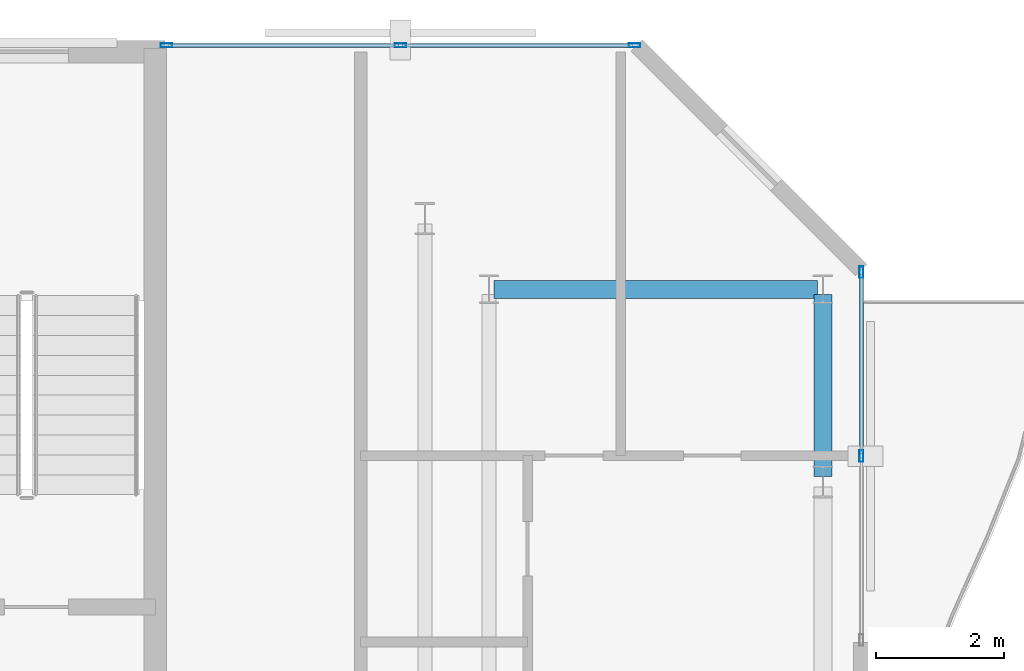
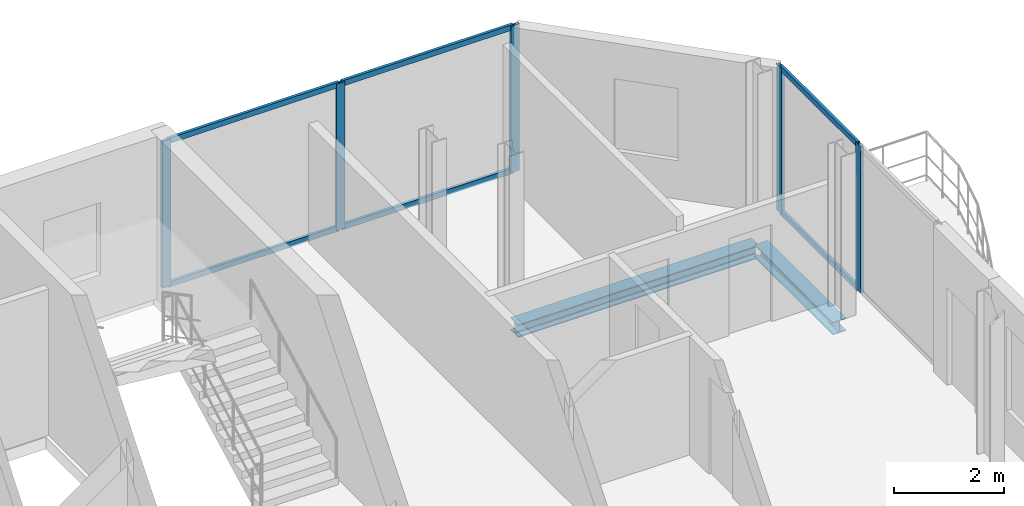
# One storey, part 16 of 23: 11 members, 2 beams, 2 elements without a shape of their own.
"""IFC4 building model written with IfcOpenShell, lengths in metres."""

import ifcopenshell
import ifcopenshell.guid

model = None  # the IFC model being written
_history = None  # IfcOwnerHistory: only IFC2X3 demands one
_inside = {}  # id of a spatial element -> (the spatial element, [elements in it])
_under = {}  # id of a project, library or spatial element -> (it, [spatial elements below it])
_declared = {}  # id of a project -> (the project, [libraries it declares])
_typed = {}  # id of a type object -> (the type object, [elements of that type])
_made_of = {}  # id of a material, layer set ... -> (it, [elements and type objects made of it])


def new_model(schema):
    """Start an empty IFC model of exactly this schema.

    Asked for "IFC4X3", IfcOpenShell would pick the latest addendum, in which some entities
    have other attributes; the version numbers below select the first issue.
    IFC2X3 requires an IfcOwnerHistory on every rooted entity: one is made here for all.
    """
    global model, _history
    if schema == "IFC4X3":
        model = ifcopenshell.file(schema_version=(4, 3, 0, 0))
    else:
        model = ifcopenshell.file(schema=schema)
    _inside.clear()
    _under.clear()
    _declared.clear()
    _typed.clear()
    _made_of.clear()
    _history = None
    if model.schema == "IFC2X3":
        org = make("IfcOrganization", Name="unknown")
        user = make(
            "IfcPersonAndOrganization",
            ThePerson=make("IfcPerson", FamilyName="unknown"),
            TheOrganization=org,
        )
        app = make(
            "IfcApplication",
            ApplicationDeveloper=org,
            Version="unknown",
            ApplicationFullName="unknown",
            ApplicationIdentifier="unknown",
        )
        _history = make(
            "IfcOwnerHistory",
            OwningUser=user,
            OwningApplication=app,
            ChangeAction="ADDED",
            CreationDate=0,
        )
    return model


def make(cls, **values):
    """One entity of the class cls with the attributes given. An attribute that is None is left unset."""
    return model.create_entity(
        cls, **{name: value for name, value in values.items() if value is not None}
    )


def rooted(cls, **values):
    """An entity with a GlobalId (a new one), such as an element, a storey or a relation."""
    return make(cls, GlobalId=ifcopenshell.guid.new(), OwnerHistory=_history, **values)


def si_unit(unit_type, name, prefix=None):
    """IfcSIUnit, for example si_unit("LENGTHUNIT", "METRE", prefix="MILLI")."""
    return make("IfcSIUnit", UnitType=unit_type, Prefix=prefix, Name=name)


def assignment(units):
    """IfcUnitAssignment: the units of a project."""
    return None if units is None else make("IfcUnitAssignment", Units=units)


def point(xyz):
    """IfcCartesianPoint."""
    return None if xyz is None else make("IfcCartesianPoint", Coordinates=xyz)


def direction(xyz):
    """IfcDirection."""
    return None if xyz is None else make("IfcDirection", DirectionRatios=xyz)


def frame(location, z_axis=None, x_axis=None):
    """IfcAxis2Placement3D, a coordinate frame: its origin and axes. An axis left out is left unset."""
    return make(
        "IfcAxis2Placement3D",
        Location=point(location),
        Axis=direction(z_axis),
        RefDirection=direction(x_axis),
    )


def frame_2d(location, x_axis=None):
    """IfcAxis2Placement2D, a coordinate frame in the plane: its origin and x axis."""
    return make(
        "IfcAxis2Placement2D", Location=point(location), RefDirection=direction(x_axis)
    )


def origin():
    """The frame at (0, 0, 0) with its axes left unset."""
    return frame((0.0, 0.0, 0.0))


def origin_2d():
    """The frame at (0, 0) in the plane with its x axis left unset."""
    return frame_2d((0.0, 0.0))


def place(relative_to, where):
    """IfcLocalPlacement: puts the frame where relative to a parent placement (None: the world)."""
    return make(
        "IfcLocalPlacement", PlacementRelTo=relative_to, RelativePlacement=where
    )


def context(
    kind, dimensions, precision=None, world=None, true_north=None, identifier=None
):
    """IfcGeometricRepresentationContext, for example the 3D "Model" context."""
    return make(
        "IfcGeometricRepresentationContext",
        ContextIdentifier=identifier,
        ContextType=kind,
        CoordinateSpaceDimension=dimensions,
        Precision=precision,
        WorldCoordinateSystem=world,
        TrueNorth=true_north,
    )


def subcontext(parent, identifier, kind, view, scale=None):
    """IfcGeometricRepresentationSubContext, for example "Body" below "Model"."""
    return make(
        "IfcGeometricRepresentationSubContext",
        ContextIdentifier=identifier,
        ContextType=kind,
        ParentContext=parent,
        TargetScale=scale,
        TargetView=view,
    )


def project(units=None, contexts=None):
    """IfcProject with its units and contexts."""
    return rooted(
        "IfcProject",
        Name="project",
        RepresentationContexts=contexts,
        UnitsInContext=assignment(units),
    )


def spatial(cls, under=None, at=None, **own):
    """A site, building, storey or space (cls), placed at a placement, below another one or the project."""
    s = rooted(cls, ObjectPlacement=at, **own)
    if under is not None:
        _under.setdefault(under.id(), (under, []))[1].append(s)
    return s


def profile(cls, at=None, kind="AREA", **sizes):
    """A parametric profile (cls). Its sizes go by their IFC names, for example OverallWidth=200.0."""
    return make(cls, ProfileType=kind, Position=at, **sizes)


def hollow_rectangle(**sizes):
    """IfcRectangleHollowProfileDef."""
    return profile("IfcRectangleHollowProfileDef", **sizes)


def i_section(**sizes):
    """IfcIShapeProfileDef."""
    return profile("IfcIShapeProfileDef", **sizes)


def extrude(swept, where, along, depth):
    """IfcExtrudedAreaSolid: the profile swept, set in the frame where, extruded along a direction by depth."""
    return make(
        "IfcExtrudedAreaSolid",
        SweptArea=swept,
        Position=where,
        ExtrudedDirection=direction(along),
        Depth=depth,
    )


def shape(context_of_items, identifier, shape_type, items):
    """IfcShapeRepresentation: the items that make up one representation, for example the "Body"."""
    return make(
        "IfcShapeRepresentation",
        ContextOfItems=context_of_items,
        RepresentationIdentifier=identifier,
        RepresentationType=shape_type,
        Items=items,
    )


def material(Name=None, Category=None):
    """IfcMaterial."""
    return make("IfcMaterial", Name=Name, Category=Category)


def layer(
    of_material, thickness, ventilated=None, Name=None, Category=None, Priority=None
):
    """IfcMaterialLayer: one layer of a wall or slab, of a material (None: an air gap)."""
    return make(
        "IfcMaterialLayer",
        Material=of_material,
        LayerThickness=thickness,
        IsVentilated=ventilated,
        Name=Name,
        Category=Category,
        Priority=Priority,
    )


def layer_set(layers, Name=None):
    """IfcMaterialLayerSet."""
    return make("IfcMaterialLayerSet", MaterialLayers=layers, LayerSetName=Name)


def material_profile(
    of_material, cross_section, Name=None, Category=None, Priority=None
):
    """IfcMaterialProfile: a cross section and its material."""
    return make(
        "IfcMaterialProfile",
        Name=Name,
        Material=of_material,
        Profile=cross_section,
        Priority=Priority,
        Category=Category,
    )


def profile_set(profiles, Name=None, composite=None):
    """IfcMaterialProfileSet."""
    return make(
        "IfcMaterialProfileSet",
        Name=Name,
        MaterialProfiles=profiles,
        CompositeProfile=composite,
    )


def made_of(thing, what):
    """Note that an element or type object is made of a material, layer set ...; save() writes the relation."""
    if what is not None:
        _made_of.setdefault(what.id(), (what, []))[1].append(thing)
    return thing


def type_object(cls, material=None, **own):
    """A type object (cls), such as IfcWallType, which elements share."""
    return made_of(rooted(cls, **own), material)


def element(
    cls,
    number,
    at=None,
    inside=None,
    cuts=None,
    type_object=None,
    material=None,
    context=None,
    identifier="Body",
    shape_type=None,
    held_by="IfcProductDefinitionShape",
    body=None,
    shapes=None,
    **own,
):
    """One element of the class cls, such as IfcWall. Its Tag is "e" and its number.

    at: its placement. inside: the storey or other place that contains it. cuts: it is an
    opening in that element (IfcRelVoidsElement). A single representation is given by context,
    identifier, shape_type and body (its items); several are given by shapes. held_by: the class
    of the entity that holds the representations. save() writes the other relations.
    """
    e = rooted(cls, Tag="e%d" % number, ObjectPlacement=at, **own)
    if body is not None:
        shapes = [shape(context, identifier, shape_type, body)]
    if shapes is not None:
        e.Representation = make(held_by, Representations=shapes)
    if inside is not None:
        _inside.setdefault(inside.id(), (inside, []))[1].append(e)
    if cuts is not None:
        rooted(
            "IfcRelVoidsElement", RelatingBuildingElement=cuts, RelatedOpeningElement=e
        )
    if type_object is not None:
        _typed.setdefault(type_object.id(), (type_object, []))[1].append(e)
    return made_of(e, material)


def aggregate(whole, parts):
    """IfcRelAggregates: a whole, such as a stair, and the parts it consists of."""
    return rooted("IfcRelAggregates", RelatingObject=whole, RelatedObjects=parts)


def save(model, path):
    """Write the relations noted so far, then the file.

    IfcRelAggregates (storeys below a building ...), IfcRelContainedInSpatialStructure (elements
    in a storey), IfcRelDefinesByType, IfcRelAssociatesMaterial and IfcRelDeclares: one each for
    every whole, place, type object, material and project.
    """
    for whole, parts in _under.values():
        aggregate(whole, parts)
    for where, things in _inside.values():
        rooted(
            "IfcRelContainedInSpatialStructure",
            RelatedElements=things,
            RelatingStructure=where,
        )
    for kind, things in _typed.values():
        rooted("IfcRelDefinesByType", RelatedObjects=things, RelatingType=kind)
    for what, things in _made_of.values():
        rooted("IfcRelAssociatesMaterial", RelatedObjects=things, RelatingMaterial=what)
    for by, libraries in _declared.values():
        rooted("IfcRelDeclares", RelatingContext=by, RelatedDefinitions=libraries)
    model.write(path)


model = new_model("IFC4")

# Units and contexts
model_context = context("Model", 3, precision=1e-05, world=origin(), true_north=direction((0.0, 1.0)))
body_context = subcontext(model_context, "Body", "Model", "MODEL_VIEW")
ifc_project = project(units=[si_unit("LENGTHUNIT", "METRE"), si_unit("AREAUNIT", "SQUARE_METRE"), si_unit("VOLUMEUNIT", "CUBIC_METRE"), si_unit("PLANEANGLEUNIT", "RADIAN"), si_unit("MASSUNIT", "GRAM", prefix="KILO")], contexts=[model_context])

# Site, building, storey
site_placement = place(None, origin())
site = spatial("IfcSite", under=ifc_project, at=site_placement, CompositionType="ELEMENT")
building_placement = place(site_placement, origin())
building = spatial("IfcBuilding", under=site, at=building_placement, Name="Catumbela Crestline Tower", CompositionType="ELEMENT")
storey_placement = place(building_placement, frame((0.0, 0.0, 204.6)))
storey = spatial("IfcBuildingStorey", under=building, at=storey_placement, Name="L53", CompositionType="ELEMENT", Elevation=204.6)

# Curtain wall, members
ifc_material_1 = material(Name="Aluminium alloy AW-6060-T66", Category="aluminium")
ifc_layer = layer(ifc_material_1, 0.18, Name="Aluminium alloy AW-6060-T66")
ifc_layer_set = layer_set([ifc_layer], Name="Aluminium alloy AW-6060-T66")
curtain_wall_type = type_object("IfcCurtainWallType", Name="CWU-Z3", PredefinedType="USERDEFINED", material=ifc_layer_set)
curtain_wall_1_placement = place(storey_placement, origin())
curtain_wall_1 = element("IfcCurtainWall", 1, at=curtain_wall_1_placement, inside=storey, type_object=curtain_wall_type, Name="L53 Unitised Curtain Wall CW-L53-E5S2", ObjectType="UNITISED", PredefinedType="USERDEFINED")
ifc_material_profile_1 = material_profile(ifc_material_1, hollow_rectangle(XDim=0.065, YDim=0.18, WallThickness=0.004, at=origin_2d()), Name="ALU 180x65x4")
ifc_profile_set_1 = profile_set([ifc_material_profile_1], Name="Aluminium alloy AW-6060-T66")
member_type_1 = type_object("IfcMemberType", Name="MUL-180X65", PredefinedType="MULLION", material=ifc_profile_set_1)
member_1_placement = place(storey_placement, frame((51.0, 36.6, 0.0), z_axis=(0.0, 0.0, 1.0), x_axis=(-1.0, 0.0, 0.0)))
member_1 = element("IfcMember", 2, at=member_1_placement, type_object=member_type_1, Name="CWU-Z3 mullion 2", PredefinedType="MULLION", context=body_context, shape_type="SweptSolid", body=[
    extrude(hollow_rectangle(XDim=0.065, YDim=0.18, WallThickness=0.004, at=origin_2d()), origin(), (0.0, 0.0, 1.0), 3.24),
])
member_2_placement = place(storey_placement, frame((51.0, 39.4675, 0.0), z_axis=(0.0, 0.0, 1.0), x_axis=(-1.0, 0.0, 0.0)))
member_2 = element("IfcMember", 3, at=member_2_placement, type_object=member_type_1, Name="CWU-Z3 mullion 3", PredefinedType="MULLION", context=body_context, shape_type="SweptSolid", body=[
    extrude(hollow_rectangle(XDim=0.065, YDim=0.18, WallThickness=0.004, at=origin_2d()), origin(), (0.0, 0.0, 1.0), 3.24),
])

curtain_wall_2_placement = place(storey_placement, origin())
curtain_wall_2 = element("IfcCurtainWall", 4, at=curtain_wall_2_placement, inside=storey, type_object=curtain_wall_type, Name="L53 Unitised Curtain Wall CW-L53-E7S1", ObjectType="UNITISED", PredefinedType="USERDEFINED")
member_3_placement = place(storey_placement, frame((47.4675, 43.0, 0.0), z_axis=(0.0, 0.0, 1.0), x_axis=(0.0, -1.0, 0.0)))
member_3 = element("IfcMember", 5, at=member_3_placement, type_object=member_type_1, Name="CWU-Z3 mullion 1", PredefinedType="MULLION", context=body_context, shape_type="SweptSolid", body=[
    extrude(hollow_rectangle(XDim=0.065, YDim=0.18, WallThickness=0.004, at=origin_2d()), origin(), (0.0, 0.0, 1.0), 3.24),
])
member_4_placement = place(storey_placement, frame((43.82, 43.0, 0.0), z_axis=(0.0, 0.0, 1.0), x_axis=(0.0, -1.0, 0.0)))
member_4 = element("IfcMember", 6, at=member_4_placement, type_object=member_type_1, Name="CWU-Z3 mullion 2", PredefinedType="MULLION", context=body_context, shape_type="SweptSolid", body=[
    extrude(hollow_rectangle(XDim=0.065, YDim=0.18, WallThickness=0.004, at=origin_2d()), origin(), (0.0, 0.0, 1.0), 3.24),
])
member_5_placement = place(storey_placement, frame((40.1725, 43.0, 0.0), z_axis=(0.0, 0.0, 1.0), x_axis=(0.0, -1.0, 0.0)))
member_5 = element("IfcMember", 7, at=member_5_placement, type_object=member_type_1, Name="CWU-Z3 mullion 3", PredefinedType="MULLION", context=body_context, shape_type="SweptSolid", body=[
    extrude(hollow_rectangle(XDim=0.065, YDim=0.18, WallThickness=0.004, at=origin_2d()), origin(), (0.0, 0.0, 1.0), 3.24),
])

# Beams
ifc_material_2 = material(Name="Structural steel S355J2", Category="steel")
ifc_material_profile_2 = material_profile(ifc_material_2, i_section(OverallWidth=0.28, OverallDepth=0.28, WebThickness=0.0105, FlangeThickness=0.018, FilletRadius=0.024, at=origin_2d()), Name="HEB 280")
ifc_profile_set_2 = profile_set([ifc_material_profile_2], Name="Structural steel S355J2")
beam_type = type_object("IfcBeamType", Name="BS-HEB280", PredefinedType="SPANDREL", material=ifc_profile_set_2)
beam_1_placement = place(storey_placement, frame((45.28, 39.2, -0.4), z_axis=(1.0, 0.0, 0.0), x_axis=(0.0, 1.0, 0.0)))
element("IfcBeam", 8, at=beam_1_placement, inside=storey, type_object=beam_type, Name="L53 Spandrel SP-L53-N13", PredefinedType="SPANDREL", context=body_context, shape_type="SweptSolid", body=[
    extrude(i_section(OverallWidth=0.28, OverallDepth=0.28, WebThickness=0.0105, FlangeThickness=0.018, FilletRadius=0.024, at=origin_2d()), origin(), (0.0, 0.0, 1.0), 5.04),
])
beam_2_placement = place(storey_placement, frame((50.4, 36.28, -0.4), z_axis=(0.0, 1.0, 0.0), x_axis=(-1.0, 0.0, 0.0)))
element("IfcBeam", 9, at=beam_2_placement, inside=storey, type_object=beam_type, Name="L53 Spandrel SP-L53-SN25", PredefinedType="SPANDREL", context=body_context, shape_type="SweptSolid", body=[
    extrude(i_section(OverallWidth=0.28, OverallDepth=0.28, WebThickness=0.0105, FlangeThickness=0.018, FilletRadius=0.024, at=origin_2d()), origin(), (0.0, 0.0, 1.0), 2.84),
])

# Member
ifc_material_profile_3 = material_profile(ifc_material_1, hollow_rectangle(XDim=0.06, YDim=0.12, WallThickness=0.0035, at=origin_2d()), Name="ALU 120x60x3.5")
ifc_profile_set_3 = profile_set([ifc_material_profile_3], Name="Aluminium alloy AW-6060-T66")
member_type_2 = type_object("IfcMemberType", Name="TRN-120X60", PredefinedType="USERDEFINED", material=ifc_profile_set_3)
member_6_placement = place(storey_placement, frame((51.0, 36.6325, 0.03), z_axis=(0.0, 1.0, 0.0), x_axis=(-1.0, 0.0, 0.0)))
member_6 = element("IfcMember", 10, at=member_6_placement, type_object=member_type_2, Name="CWU-Z3 transom 2.1", ObjectType="TRANSOM", PredefinedType="USERDEFINED", context=body_context, shape_type="SweptSolid", body=[
    extrude(hollow_rectangle(XDim=0.06, YDim=0.12, WallThickness=0.0035, at=origin_2d()), origin(), (0.0, 0.0, 1.0), 2.8025),
])

member_7_placement = place(storey_placement, frame((51.0, 36.6325, 3.21), z_axis=(0.0, 1.0, 0.0), x_axis=(-1.0, 0.0, 0.0)))
member_7 = element("IfcMember", 11, at=member_7_placement, type_object=member_type_2, Name="CWU-Z3 transom 2.2", ObjectType="TRANSOM", PredefinedType="USERDEFINED", context=body_context, shape_type="SweptSolid", body=[
    extrude(hollow_rectangle(XDim=0.06, YDim=0.12, WallThickness=0.0035, at=origin_2d()), origin(), (0.0, 0.0, 1.0), 2.8025),
])

aggregate(curtain_wall_1, [member_1, member_2, member_6, member_7])

member_8_placement = place(storey_placement, frame((47.435, 43.0, 0.03), z_axis=(-1.0, 0.0, 0.0), x_axis=(0.0, -1.0, 0.0)))
member_8 = element("IfcMember", 12, at=member_8_placement, type_object=member_type_2, Name="CWU-Z3 transom 1.1", ObjectType="TRANSOM", PredefinedType="USERDEFINED", context=body_context, shape_type="SweptSolid", body=[
    extrude(hollow_rectangle(XDim=0.06, YDim=0.12, WallThickness=0.0035, at=origin_2d()), origin(), (0.0, 0.0, 1.0), 3.5825),
])

member_9_placement = place(storey_placement, frame((47.435, 43.0, 3.21), z_axis=(-1.0, 0.0, 0.0), x_axis=(0.0, -1.0, 0.0)))
member_9 = element("IfcMember", 13, at=member_9_placement, type_object=member_type_2, Name="CWU-Z3 transom 1.2", ObjectType="TRANSOM", PredefinedType="USERDEFINED", context=body_context, shape_type="SweptSolid", body=[
    extrude(hollow_rectangle(XDim=0.06, YDim=0.12, WallThickness=0.0035, at=origin_2d()), origin(), (0.0, 0.0, 1.0), 3.5825),
])

member_10_placement = place(storey_placement, frame((43.7875, 43.0, 0.03), z_axis=(-1.0, 0.0, 0.0), x_axis=(0.0, -1.0, 0.0)))
member_10 = element("IfcMember", 14, at=member_10_placement, type_object=member_type_2, Name="CWU-Z3 transom 2.1", ObjectType="TRANSOM", PredefinedType="USERDEFINED", context=body_context, shape_type="SweptSolid", body=[
    extrude(hollow_rectangle(XDim=0.06, YDim=0.12, WallThickness=0.0035, at=origin_2d()), origin(), (0.0, 0.0, 1.0), 3.5825),
])

member_11_placement = place(storey_placement, frame((43.7875, 43.0, 3.21), z_axis=(-1.0, 0.0, 0.0), x_axis=(0.0, -1.0, 0.0)))
member_11 = element("IfcMember", 15, at=member_11_placement, type_object=member_type_2, Name="CWU-Z3 transom 2.2", ObjectType="TRANSOM", PredefinedType="USERDEFINED", context=body_context, shape_type="SweptSolid", body=[
    extrude(hollow_rectangle(XDim=0.06, YDim=0.12, WallThickness=0.0035, at=origin_2d()), origin(), (0.0, 0.0, 1.0), 3.5825),
])

aggregate(curtain_wall_2, [member_3, member_4, member_5, member_8, member_9, member_10, member_11])

save(model, "model.ifc")
